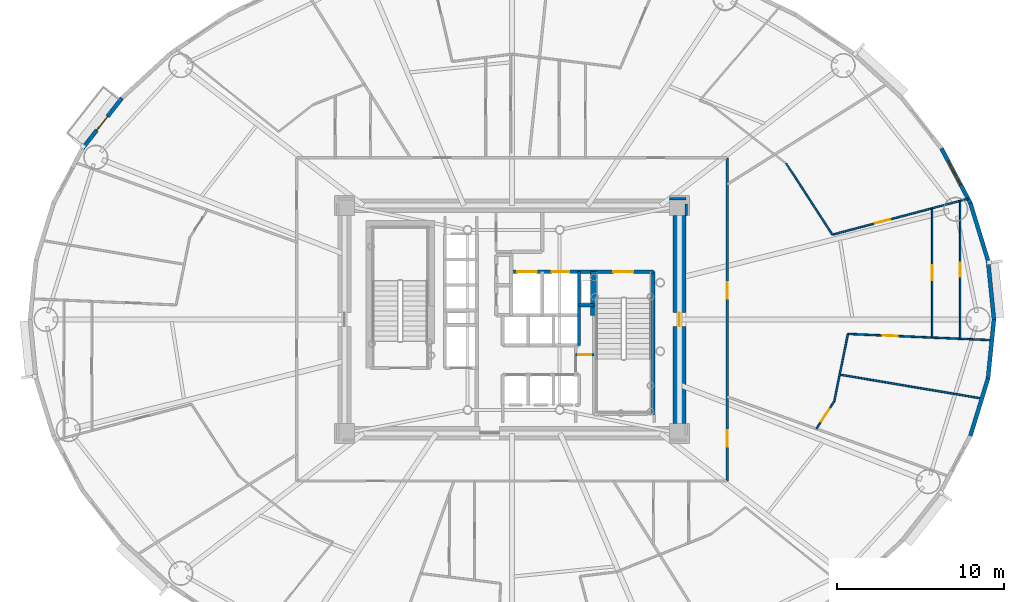
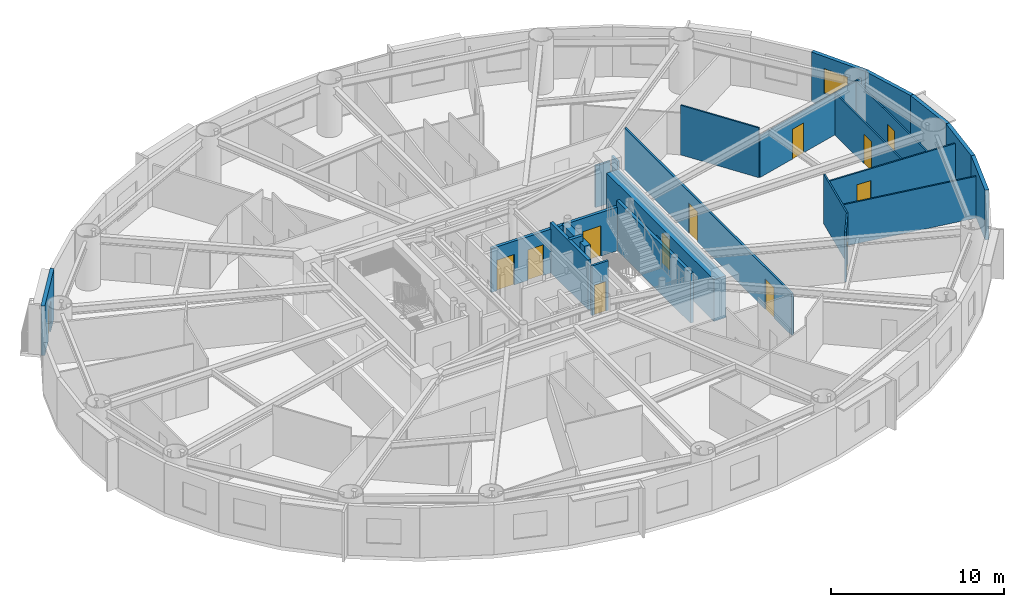
# One storey, part 11 of 19: 24 walls, 13 doors, 1 window, 14 openings.
"""IFC4 building model written with IfcOpenShell, lengths in metres."""

from ifc_helpers import new_model, si_unit, direction, frame, frame_2d, origin, origin_2d, place, context, subcontext, project, spatial, rectangle, extrude, source, transform, mapped, material, layer, layer_set, type_object, element, fill, save


model = new_model("IFC4")

# Units and contexts
model_context = context("Model", 3, precision=1e-05, world=origin(), true_north=direction((0.0, 1.0)))
body_context = subcontext(model_context, "Body", "Model", "MODEL_VIEW")
ifc_project = project(units=[si_unit("LENGTHUNIT", "METRE"), si_unit("AREAUNIT", "SQUARE_METRE"), si_unit("VOLUMEUNIT", "CUBIC_METRE"), si_unit("PLANEANGLEUNIT", "RADIAN"), si_unit("MASSUNIT", "GRAM", prefix="KILO")], contexts=[model_context])

# Site, building, storey
site_placement = place(None, origin())
site = spatial("IfcSite", under=ifc_project, at=site_placement, CompositionType="ELEMENT")
building_placement = place(site_placement, origin())
building = spatial("IfcBuilding", under=site, at=building_placement, Name="Linh Dai School and Residence Tower", CompositionType="ELEMENT")
storey_placement = place(building_placement, frame((0.0, 0.0, 119.699951171875)))
storey = spatial("IfcBuildingStorey", under=building, at=storey_placement, Name="L28", CompositionType="ELEMENT", Elevation=119.699951171875)

# Walls
ifc_material_1 = material(Name="Precast Concrete B45 (C35/45)", Category="concrete")
ifc_layer_1 = layer(ifc_material_1, 0.239990234375)
ifc_layer_set_1 = layer_set([ifc_layer_1], Name="Precast Concrete B45 (C35/45)")
wall_type_1 = type_object("IfcWallType", Name="EW-TC-240", PredefinedType="SOLIDWALL", material=ifc_layer_set_1)
wall_1_placement = place(storey_placement, frame((64.421630859375, 30.515380859375, 0.0), z_axis=(0.0, 0.0, 1.0), x_axis=(0.099989468229, -0.994988495533, 0.0)))
element("IfcWall", 1, at=wall_1_placement, inside=storey, type_object=wall_type_1, Name="L28 Terracotta Exterior Wall 01", PredefinedType="SOLIDWALL", context=body_context, shape_type="SweptSolid", body=[
    extrude(rectangle(XDim=3.533203125, YDim=0.239990234375, at=frame_2d((1.7666015625, 0.0))), origin(), (0.0, 0.0, 1.0), 3.5),
])
wall_2_placement = place(storey_placement, frame((63.3701171875, 33.945068359375, 0.0), z_axis=(0.0, 0.0, 1.0), x_axis=(0.293124431344, -0.956074300329, 0.0)))
element("IfcWall", 2, at=wall_2_placement, inside=storey, type_object=wall_type_1, Name="L28 Terracotta Exterior Wall 02", PredefinedType="SOLIDWALL", context=body_context, shape_type="SweptSolid", body=[
    extrude(rectangle(XDim=3.587158203125, YDim=0.239990234375, at=frame_2d((1.79345703125, 0.0))), origin(), (0.0, 0.0, 1.0), 3.5),
])

# Wall, opening, window
wall_3_placement = place(storey_placement, frame((61.645263671875, 37.20556640625, 0.0), z_axis=(0.0, 0.0, 1.0), x_axis=(0.467614004126, -0.883932770716, 0.0)))
wall_3 = element("IfcWall", 3, at=wall_3_placement, inside=storey, type_object=wall_type_1, Name="L28 Terracotta Exterior Wall 03", PredefinedType="SOLIDWALL", context=body_context, shape_type="SweptSolid", body=[
    extrude(rectangle(XDim=3.688720703125, YDim=0.239990234375, at=frame_2d((1.84423828125, 0.0))), origin(), (0.0, 0.0, 1.0), 3.5),
])
opening_1_placement = place(wall_3_placement, frame((0.845947265625, 0.0, 0.89990234375)))
opening_1 = element("IfcOpeningElement", 4, at=opening_1_placement, cuts=wall_3, Name="Opening W2", PredefinedType="OPENING", context=body_context, shape_type="SweptSolid", body=[
    extrude(rectangle(XDim=1.60009765625, YDim=1.75, at=origin_2d()), frame((0.800048828125, 0.1298828125, 0.875), z_axis=(0.0, -1.0, 0.0), x_axis=(1.0, 0.0, 0.0)), (0.0, 0.0, 1.0), 0.260009765625),
])
ifc_material_2 = material(Name="Double Low-E Insulated Glazing", Category="glass")
window_type = type_object("IfcWindowType", Name="WN-RES-1600x1750", PartitioningType="DOUBLE_PANEL_VERTICAL", PredefinedType="WINDOW", material=ifc_material_2)
shared_shape_1 = source(origin(), body_context, "Body", "SweptSolid", [
    extrude(rectangle(XDim=1.60009765625, YDim=1.75, at=origin_2d()), frame((0.800048828125, 0.030029296875, 0.875), z_axis=(0.0, -1.0, 0.0), x_axis=(1.0, 0.0, 0.0)), (0.0, 0.0, 1.0), 0.06005859375),
])
window_placement = place(opening_1_placement, origin())
window = element("IfcWindow", 5, at=window_placement, inside=storey, type_object=window_type, Name="L28 Exterior Window 03.1", OverallHeight=1.75, OverallWidth=1.60009765625, PartitioningType="DOUBLE_PANEL_VERTICAL", PredefinedType="WINDOW", context=body_context, shape_type="MappedRepresentation", body=[
    mapped(shared_shape_1, transform((0.0, 0.0, 0.0), x_axis=(1.0, 0.0, 0.0), y_axis=(0.0, 1.0, 0.0), z_axis=(0.0, 0.0, 1.0), scale=1.0)),
])
fill(opening_1, window)

# Wall, opening, door
wall_4_placement = place(storey_placement, frame((10.354736328125, 37.20556640625, 0.0), z_axis=(0.0, 0.0, 1.0), x_axis=(0.616272103517, 0.787533297345, 0.0)))
wall_4 = element("IfcWall", 6, at=wall_4_placement, inside=storey, type_object=wall_type_1, Name="L28 Terracotta Exterior Wall 17", PredefinedType="SOLIDWALL", context=body_context, shape_type="SweptSolid", body=[
    extrude(rectangle(XDim=3.8232421875, YDim=0.239990234375, at=frame_2d((1.91162109375, 0.0))), origin(), (0.0, 0.0, 1.0), 3.5),
])
opening_2_placement = place(wall_4_placement, frame((1.38671875, 0.0, 0.0)))
opening_2 = element("IfcOpeningElement", 7, at=opening_2_placement, cuts=wall_4, Name="Opening BD1", PredefinedType="OPENING", context=body_context, shape_type="SweptSolid", body=[
    extrude(rectangle(XDim=1.050048828125, YDim=2.14990234375, at=origin_2d()), frame((0.52490234375, 0.1298828125, 1.074951171875), z_axis=(0.0, -1.0, 0.0), x_axis=(1.0, 0.0, 0.0)), (0.0, 0.0, 1.0), 0.260009765625),
])
ifc_material_3 = material(Name="Double-Glazed Balcony Door", Category="glass")
door_type_1 = type_object("IfcDoorType", Name="DR-BALC-1050x2150", OperationType="NOTDEFINED", PredefinedType="DOOR", material=ifc_material_3)
shared_shape_2 = source(origin(), body_context, "Body", "SweptSolid", [
    extrude(rectangle(XDim=1.050048828125, YDim=2.14990234375, at=origin_2d()), frame((0.52490234375, 0.02490234375, 1.074951171875), z_axis=(0.0, -1.0, 0.0), x_axis=(1.0, 0.0, 0.0)), (0.0, 0.0, 1.0), 0.050048828125),
])
door_1_placement = place(opening_2_placement, origin())
door_1 = element("IfcDoor", 8, at=door_1_placement, inside=storey, type_object=door_type_1, Name="L28 Glazed Balcony Door 17", OperationType="SINGLE_SWING_RIGHT", OverallHeight=2.14990234375, OverallWidth=1.050048828125, PredefinedType="DOOR", context=body_context, shape_type="MappedRepresentation", body=[
    mapped(shared_shape_2, transform((0.0, 0.0, 0.0), x_axis=(1.0, 0.0, 0.0), y_axis=(0.0, 1.0, 0.0), z_axis=(0.0, 0.0, 1.0), scale=1.0)),
])
fill(opening_2, door_1)

# Walls
wall_5_placement = place(storey_placement, frame((64.421630859375, 23.484619140625, 0.0), z_axis=(0.0, 0.0, 1.0), x_axis=(-0.293124431344, -0.956074300329, 0.0)))
element("IfcWall", 9, at=wall_5_placement, inside=storey, type_object=wall_type_1, Name="L28 Terracotta Exterior Wall 39", PredefinedType="SOLIDWALL", context=body_context, shape_type="SweptSolid", body=[
    extrude(rectangle(XDim=3.587158203125, YDim=0.239990234375, at=frame_2d((1.79345703125, 0.0))), origin(), (0.0, 0.0, 1.0), 3.5),
])
wall_6_placement = place(storey_placement, frame((64.77490234375, 27.0, 0.0), z_axis=(0.0, 0.0, 1.0), x_axis=(-0.099989468229, -0.994988495533, 0.0)))
element("IfcWall", 10, at=wall_6_placement, inside=storey, type_object=wall_type_1, Name="L28 Terracotta Exterior Wall 40", PredefinedType="SOLIDWALL", context=body_context, shape_type="SweptSolid", body=[
    extrude(rectangle(XDim=3.533203125, YDim=0.239990234375, at=frame_2d((1.7666015625, 0.0))), origin(), (0.0, 0.0, 1.0), 3.5),
])

# Wall, openings, doors
ifc_material_4 = material(Name="Autoclaved Aerated Concrete Blockwork", Category="masonry")
ifc_layer_2 = layer(ifc_material_4, 0.135009765625)
ifc_layer_set_2 = layer_set([ifc_layer_2], Name="Autoclaved Aerated Concrete Blockwork")
wall_type_2 = type_object("IfcWallType", Name="IW-CORR-135-EI90", PredefinedType="PARTITIONING", material=ifc_layer_set_2)
wall_7_placement = place(storey_placement, frame((48.85009765625, 17.35009765625, 0.0), z_axis=(0.0, 0.0, 1.0), x_axis=(0.0, 1.0, 0.0)))
wall_7 = element("IfcWall", 11, at=wall_7_placement, inside=storey, type_object=wall_type_2, Name="L28 Interior Partition Wall 089", PredefinedType="PARTITIONING", context=body_context, shape_type="SweptSolid", body=[
    extrude(rectangle(XDim=19.2998046875, YDim=0.135009765625, at=frame_2d((9.64990234375, 0.0))), origin(), (0.0, 0.0, 1.0), 2.93505859375),
])
opening_3_placement = place(wall_7_placement, frame((2.036376953125, 0.0, 0.0)))
opening_3 = element("IfcOpeningElement", 12, at=opening_3_placement, cuts=wall_7, Name="Opening D03", PredefinedType="OPENING", context=body_context, shape_type="SweptSolid", body=[
    extrude(rectangle(XDim=1.0, YDim=2.14990234375, at=origin_2d()), frame((0.5, 0.07763671875, 1.074951171875), z_axis=(0.0, -1.0, 0.0), x_axis=(1.0, 0.0, 0.0)), (0.0, 0.0, 1.0), 0.155029296875),
])
opening_4_placement = place(wall_7_placement, frame((10.87451171875, 0.0, 0.0)))
opening_4 = element("IfcOpeningElement", 13, at=opening_4_placement, cuts=wall_7, Name="Opening D03", PredefinedType="OPENING", context=body_context, shape_type="SweptSolid", body=[
    extrude(rectangle(XDim=1.0, YDim=2.14990234375, at=origin_2d()), frame((0.5, 0.07763671875, 1.074951171875), z_axis=(0.0, -1.0, 0.0), x_axis=(1.0, 0.0, 0.0)), (0.0, 0.0, 1.0), 0.155029296875),
])
ifc_material_5 = material(Name="Fire-Rated Solid Timber Entrance Door", Category="wood")
door_type_2 = type_object("IfcDoorType", Name="DR-FLAT-1000x2150-FD60S", OperationType="NOTDEFINED", PredefinedType="DOOR", material=ifc_material_5)
shared_shape_3 = source(origin(), body_context, "Body", "SweptSolid", [
    extrude(rectangle(XDim=1.0, YDim=2.14990234375, at=origin_2d()), frame((0.5, 0.02490234375, 1.074951171875), z_axis=(0.0, -1.0, 0.0), x_axis=(1.0, 0.0, 0.0)), (0.0, 0.0, 1.0), 0.050048828125),
])
door_2_placement = place(opening_3_placement, origin())
door_2 = element("IfcDoor", 14, at=door_2_placement, inside=storey, type_object=door_type_2, Name="L28 U2806 Apartment Entrance Door", OperationType="SINGLE_SWING_RIGHT", OverallHeight=2.14990234375, OverallWidth=1.0, PredefinedType="DOOR", context=body_context, shape_type="MappedRepresentation", body=[
    mapped(shared_shape_3, transform((0.0, 0.0, 0.0), x_axis=(1.0, 0.0, 0.0), y_axis=(0.0, 1.0, 0.0), z_axis=(0.0, 0.0, 1.0), scale=1.0)),
])
fill(opening_3, door_2)
door_3_placement = place(opening_4_placement, origin())
door_3 = element("IfcDoor", 15, at=door_3_placement, inside=storey, type_object=door_type_2, Name="L28 U2807 Apartment Entrance Door", OperationType="SINGLE_SWING_RIGHT", OverallHeight=2.14990234375, OverallWidth=1.0, PredefinedType="DOOR", context=body_context, shape_type="MappedRepresentation", body=[
    mapped(shared_shape_3, transform((0.0, 0.0, 0.0), x_axis=(1.0, 0.0, 0.0), y_axis=(0.0, 1.0, 0.0), z_axis=(0.0, 0.0, 1.0), scale=1.0)),
])
fill(opening_4, door_3)

# Walls
wall_8_placement = place(storey_placement, frame((46.39990234375, 34.199951171875, 0.0), z_axis=(0.0, 0.0, 1.0), x_axis=(-1.0, 0.0, 0.0)))
element("IfcWall", 16, at=wall_8_placement, inside=storey, type_object=wall_type_2, Name="L28 Interior Partition Wall 113", PredefinedType="PARTITIONING", context=body_context, shape_type="SweptSolid", body=[
    extrude(rectangle(XDim=0.989990234375, YDim=0.135009765625, at=frame_2d((0.4951171875, 0.0))), origin(), (0.0, 0.0, 1.0), 2.93505859375),
])
wall_9_placement = place(storey_placement, frame((46.39990234375, 33.2099609375, 0.0), z_axis=(0.0, 0.0, 1.0), x_axis=(0.0, 1.0, 0.0)))
element("IfcWall", 17, at=wall_9_placement, inside=storey, type_object=wall_type_2, Name="L28 Interior Partition Wall 120", PredefinedType="PARTITIONING", context=body_context, shape_type="SweptSolid", body=[
    extrude(rectangle(XDim=0.6826171875, YDim=0.135009765625, at=frame_2d((0.34130859375, 0.0))), origin(), (0.0, 0.0, 1.0), 3.5),
])

# Wall, opening, door
ifc_layer_3 = layer(ifc_material_4, 0.14990234375)
ifc_layer_set_3 = layer_set([ifc_layer_3], Name="Autoclaved Aerated Concrete Blockwork")
wall_type_3 = type_object("IfcWallType", Name="IW-SCH-150-EI60", PredefinedType="PARTITIONING", material=ifc_layer_set_3)
wall_10_placement = place(storey_placement, frame((39.800048828125, 24.89990234375, 0.0), z_axis=(0.0, 0.0, 1.0), x_axis=(1.0, 0.0, 0.0)))
wall_10 = element("IfcWall", 18, at=wall_10_placement, inside=storey, type_object=wall_type_3, Name="L28 Interior Partition Wall 069", PredefinedType="PARTITIONING", context=body_context, shape_type="SweptSolid", body=[
    extrude(rectangle(XDim=1.099853515625, YDim=0.14990234375, at=frame_2d((0.5498046875, 0.0))), origin(), (0.0, 0.0, 1.0), 3.5),
])
opening_5_placement = place(wall_10_placement, frame((0.169921875, 0.0, 0.0)))
opening_5 = element("IfcOpeningElement", 19, at=opening_5_placement, cuts=wall_10, Name="Opening D08", PredefinedType="OPENING", context=body_context, shape_type="SweptSolid", body=[
    extrude(rectangle(XDim=0.760009765625, YDim=2.10009765625, at=origin_2d()), frame((0.3798828125, 0.0849609375, 1.050048828125), z_axis=(0.0, -1.0, 0.0), x_axis=(1.0, 0.0, 0.0)), (0.0, 0.0, 1.0), 0.169921875),
])
ifc_material_6 = material(Name="Engineered Timber Closet and Study Door", Category="wood")
door_type_3 = type_object("IfcDoorType", Name="DR-CMP-760x2100", OperationType="NOTDEFINED", PredefinedType="DOOR", material=ifc_material_6)
shared_shape_4 = source(origin(), body_context, "Body", "SweptSolid", [
    extrude(rectangle(XDim=0.760009765625, YDim=2.10009765625, at=origin_2d()), frame((0.3798828125, 0.02490234375, 1.050048828125), z_axis=(0.0, -1.0, 0.0), x_axis=(1.0, 0.0, 0.0)), (0.0, 0.0, 1.0), 0.050048828125),
])
door_4_placement = place(opening_5_placement, origin())
door_4 = element("IfcDoor", 20, at=door_4_placement, inside=storey, type_object=door_type_3, Name="L28 NE Equipment Store Door", OperationType="SINGLE_SWING_LEFT", OverallHeight=2.10009765625, OverallWidth=0.760009765625, PredefinedType="DOOR", context=body_context, shape_type="MappedRepresentation", body=[
    mapped(shared_shape_4, transform((0.0, 0.0, 0.0), x_axis=(1.0, 0.0, 0.0), y_axis=(0.0, 1.0, 0.0), z_axis=(0.0, 0.0, 1.0), scale=1.0)),
])
fill(opening_5, door_4)

# Wall, openings, doors
ifc_material_7 = material(Name="Concrete B45 (C35/45)", Category="concrete")
ifc_layer_4 = layer(ifc_material_7, 0.199951171875)
ifc_layer_set_4 = layer_set([ifc_layer_4], Name="Concrete B45 (C35/45)")
wall_type_4 = type_object("IfcWallType", Name="IW-SHAFT-200-EI120", PredefinedType="PARTITIONING", material=ifc_layer_set_4)
wall_11_placement = place(storey_placement, frame((35.949951171875, 29.85009765625, 0.0), z_axis=(0.0, 0.0, 1.0), x_axis=(1.0, 0.0, 0.0)))
wall_11 = element("IfcWall", 21, at=wall_11_placement, inside=storey, type_object=wall_type_4, Name="L28 Interior Partition Wall 055", PredefinedType="PARTITIONING", context=body_context, shape_type="SweptSolid", body=[
    extrude(rectangle(XDim=8.489990234375, YDim=0.199951171875, at=frame_2d((4.2451171875, 0.0))), origin(), (0.0, 0.0, 1.0), 3.0849609375),
])
opening_6_placement = place(wall_11_placement, frame((6.10009765625, 0.0, 0.0)))
opening_6 = element("IfcOpeningElement", 22, at=opening_6_placement, cuts=wall_11, Name="Opening D01", PredefinedType="OPENING", context=body_context, shape_type="SweptSolid", body=[
    extrude(rectangle(XDim=1.199951171875, YDim=2.14990234375, at=origin_2d()), frame((0.60009765625, 0.10986328125, 1.074951171875), z_axis=(0.0, -1.0, 0.0), x_axis=(1.0, 0.0, 0.0)), (0.0, 0.0, 1.0), 0.219970703125),
])
opening_7_placement = place(wall_11_placement, frame((0.3701171875, 0.0, 0.0)))
opening_7 = element("IfcOpeningElement", 23, at=opening_7_placement, cuts=wall_11, Name="Opening LD-FF1", PredefinedType="OPENING", context=body_context, shape_type="SweptSolid", body=[
    extrude(rectangle(XDim=1.14990234375, YDim=2.14990234375, at=origin_2d()), frame((0.574951171875, 0.10986328125, 1.074951171875), z_axis=(0.0, -1.0, 0.0), x_axis=(1.0, 0.0, 0.0)), (0.0, 0.0, 1.0), 0.219970703125),
])
opening_8_placement = place(wall_11_placement, frame((2.425048828125, 0.0, 0.0)))
opening_8 = element("IfcOpeningElement", 24, at=opening_8_placement, cuts=wall_11, Name="Opening LD-SV1", PredefinedType="OPENING", context=body_context, shape_type="SweptSolid", body=[
    extrude(rectangle(XDim=1.050048828125, YDim=2.14990234375, at=origin_2d()), frame((0.52490234375, 0.10986328125, 1.074951171875), z_axis=(0.0, -1.0, 0.0), x_axis=(1.0, 0.0, 0.0)), (0.0, 0.0, 1.0), 0.219970703125),
])
ifc_material_8 = material(Name="Fire-Rated Steel Door Leaf", Category="steel")
door_type_4 = type_object("IfcDoorType", Name="DR-STAIR-1200x2150-FD90S", OperationType="NOTDEFINED", PredefinedType="DOOR", material=ifc_material_8)
shared_shape_5 = source(origin(), body_context, "Body", "SweptSolid", [
    extrude(rectangle(XDim=1.199951171875, YDim=2.14990234375, at=origin_2d()), frame((0.60009765625, 0.02490234375, 1.074951171875), z_axis=(0.0, -1.0, 0.0), x_axis=(1.0, 0.0, 0.0)), (0.0, 0.0, 1.0), 0.050048828125),
])
door_5_placement = place(opening_6_placement, origin())
door_5 = element("IfcDoor", 25, at=door_5_placement, inside=storey, type_object=door_type_4, Name="L28 Core Smokeproof Exit Stair ST2 Door", OperationType="SINGLE_SWING_RIGHT", OverallHeight=2.14990234375, OverallWidth=1.199951171875, PredefinedType="DOOR", context=body_context, shape_type="MappedRepresentation", body=[
    mapped(shared_shape_5, transform((0.0, 0.0, 0.0), x_axis=(1.0, 0.0, 0.0), y_axis=(0.0, 1.0, 0.0), z_axis=(0.0, 0.0, 1.0), scale=1.0)),
])
fill(opening_6, door_5)
ifc_material_9 = material(Name="Fire-Rated Stainless Steel Firefighting Lift Door", Category="steel")
door_type_5 = type_object("IfcDoorType", Name="DR-LD-FF-1150x2150-FD120", OperationType="DOUBLE_DOOR_SLIDING", PredefinedType="USERDEFINED", material=ifc_material_9)
shared_shape_6 = source(origin(), body_context, "Body", "SweptSolid", [
    extrude(rectangle(XDim=1.14990234375, YDim=2.14990234375, at=origin_2d()), frame((0.574951171875, 0.02490234375, 1.074951171875), z_axis=(0.0, -1.0, 0.0), x_axis=(1.0, 0.0, 0.0)), (0.0, 0.0, 1.0), 0.050048828125),
])
door_6_placement = place(opening_7_placement, origin())
door_6 = element("IfcDoor", 26, at=door_6_placement, inside=storey, type_object=door_type_5, Name="L28 Lift FF1 Sliding Landing Door", ObjectType="LANDING DOOR", OperationType="DOUBLE_DOOR_SLIDING", OverallHeight=2.14990234375, OverallWidth=1.14990234375, PredefinedType="USERDEFINED", context=body_context, shape_type="MappedRepresentation", body=[
    mapped(shared_shape_6, transform((0.0, 0.0, 0.0), x_axis=(1.0, 0.0, 0.0), y_axis=(0.0, 1.0, 0.0), z_axis=(0.0, 0.0, 1.0), scale=1.0)),
])
fill(opening_7, door_6)
ifc_material_10 = material(Name="Brushed Stainless Steel Lift Landing Door", Category="steel")
door_type_6 = type_object("IfcDoorType", Name="DR-LD-PASS-1050x2150", OperationType="DOUBLE_DOOR_SLIDING", PredefinedType="USERDEFINED", material=ifc_material_10)
shared_shape_7 = source(origin(), body_context, "Body", "SweptSolid", [
    extrude(rectangle(XDim=1.050048828125, YDim=2.14990234375, at=origin_2d()), frame((0.52490234375, 0.02490234375, 1.074951171875), z_axis=(0.0, -1.0, 0.0), x_axis=(1.0, 0.0, 0.0)), (0.0, 0.0, 1.0), 0.050048828125),
])
door_7_placement = place(opening_8_placement, origin())
door_7 = element("IfcDoor", 27, at=door_7_placement, inside=storey, type_object=door_type_6, Name="L28 Lift SV1 Sliding Landing Door", ObjectType="LANDING DOOR", OperationType="DOUBLE_DOOR_SLIDING", OverallHeight=2.14990234375, OverallWidth=1.050048828125, PredefinedType="USERDEFINED", context=body_context, shape_type="MappedRepresentation", body=[
    mapped(shared_shape_7, transform((0.0, 0.0, 0.0), x_axis=(1.0, 0.0, 0.0), y_axis=(0.0, 1.0, 0.0), z_axis=(0.0, 0.0, 1.0), scale=1.0)),
])
fill(opening_8, door_7)

# Walls
wall_12_placement = place(storey_placement, frame((40.0, 25.449951171875, 0.0), z_axis=(0.0, 0.0, 1.0), x_axis=(0.0, 1.0, 0.0)))
element("IfcWall", 28, at=wall_12_placement, inside=storey, type_object=wall_type_4, Name="L28 Interior Partition Wall 071", PredefinedType="PARTITIONING", context=body_context, shape_type="SweptSolid", body=[
    extrude(rectangle(XDim=4.400146484375, YDim=0.199951171875, at=frame_2d((2.2001953125, 0.0))), origin(), (0.0, 0.0, 1.0), 3.5),
])
wall_13_placement = place(storey_placement, frame((40.0, 27.85009765625, 0.0), z_axis=(0.0, 0.0, 1.0), x_axis=(1.0, 0.0, 0.0)))
element("IfcWall", 29, at=wall_13_placement, inside=storey, type_object=wall_type_4, Name="L28 Interior Partition Wall 072", PredefinedType="PARTITIONING", context=body_context, shape_type="SweptSolid", body=[
    extrude(rectangle(XDim=0.89990234375, YDim=0.199951171875, at=frame_2d((0.449951171875, 0.0))), origin(), (0.0, 0.0, 1.0), 3.5),
])
wall_14_placement = place(storey_placement, frame((44.43994140625, 21.330078125, 0.0), z_axis=(0.0, 0.0, 1.0), x_axis=(0.0, 1.0, 0.0)))
element("IfcWall", 30, at=wall_14_placement, inside=storey, type_object=wall_type_4, Name="L28 Interior Partition Wall 082", PredefinedType="PARTITIONING", context=body_context, shape_type="SweptSolid", body=[
    extrude(rectangle(XDim=8.52001953125, YDim=0.199951171875, at=frame_2d((4.260009765625, 0.0))), origin(), (0.0, 0.0, 1.0), 3.5),
])
ifc_material_11 = material(Name="Gypsum Plasterboard Acoustic Stud Partition", Category="masonry")
ifc_layer_5 = layer(ifc_material_11, 0.10009765625)
ifc_layer_set_5 = layer_set([ifc_layer_5], Name="Gypsum Plasterboard Acoustic Stud Partition")
wall_type_5 = type_object("IfcWallType", Name="IW-UNIT-100", PredefinedType="PARTITIONING", material=ifc_layer_set_5)
wall_15_placement = place(storey_placement, frame((52.366455078125, 36.31103515625, 0.0), z_axis=(0.0, 0.0, 1.0), x_axis=(0.545394651961, -0.838179380331, 0.0)))
element("IfcWall", 31, at=wall_15_placement, inside=storey, type_object=wall_type_5, Name="L28 Interior Partition Wall 093", PredefinedType="PARTITIONING", context=body_context, shape_type="SweptSolid", body=[
    extrude(rectangle(XDim=5.068115234375, YDim=0.10009765625, at=frame_2d((2.5341796875, 0.0))), origin(), (0.0, 0.0, 1.0), 3.5),
])

# Wall, opening, door
wall_16_placement = place(storey_placement, frame((54.175537109375, 20.468994140625, 0.0), z_axis=(0.0, 0.0, 1.0), x_axis=(0.545370803514, 0.838194897786, 0.0)))
wall_16 = element("IfcWall", 32, at=wall_16_placement, inside=storey, type_object=wall_type_5, Name="L28 Interior Partition Wall 094", PredefinedType="PARTITIONING", context=body_context, shape_type="SweptSolid", body=[
    extrude(rectangle(XDim=1.951904296875, YDim=0.10009765625, at=frame_2d((0.97607421875, 0.0))), origin(), (0.0, 0.0, 1.0), 3.5),
])
opening_9_placement = place(wall_16_placement, frame((0.52587890625, 0.0, 0.0)))
opening_9 = element("IfcOpeningElement", 33, at=opening_9_placement, cuts=wall_16, Name="Opening D05", PredefinedType="OPENING", context=body_context, shape_type="SweptSolid", body=[
    extrude(rectangle(XDim=0.89990234375, YDim=2.10009765625, at=origin_2d()), frame((0.449951171875, 0.06005859375, 1.050048828125), z_axis=(0.0, -1.0, 0.0), x_axis=(1.0, 0.0, 0.0)), (0.0, 0.0, 1.0), 0.1201171875),
])
ifc_material_12 = material(Name="Engineered Timber Internal Door", Category="wood")
door_type_7 = type_object("IfcDoorType", Name="DR-INT-900x2100", OperationType="NOTDEFINED", PredefinedType="DOOR", material=ifc_material_12)
shared_shape_8 = source(origin(), body_context, "Body", "SweptSolid", [
    extrude(rectangle(XDim=0.89990234375, YDim=2.10009765625, at=origin_2d()), frame((0.449951171875, 0.02490234375, 1.050048828125), z_axis=(0.0, -1.0, 0.0), x_axis=(1.0, 0.0, 0.0)), (0.0, 0.0, 1.0), 0.050048828125),
])
door_8_placement = place(opening_9_placement, origin())
door_8 = element("IfcDoor", 34, at=door_8_placement, inside=storey, type_object=door_type_7, Name="L28 Apartment U2807 Principal Bedroom 1 Door", OperationType="SINGLE_SWING_LEFT", OverallHeight=2.10009765625, OverallWidth=0.89990234375, PredefinedType="DOOR", context=body_context, shape_type="MappedRepresentation", body=[
    mapped(shared_shape_8, transform((0.0, 0.0, 0.0), x_axis=(1.0, 0.0, 0.0), y_axis=(0.0, 1.0, 0.0), z_axis=(0.0, 0.0, 1.0), scale=1.0)),
])
fill(opening_9, door_8)

wall_17_placement = place(storey_placement, frame((55.130615234375, 32.06298828125, 0.0), z_axis=(0.0, 0.0, 1.0), x_axis=(0.96671793708, 0.255844542893, 0.0)))
wall_17 = element("IfcWall", 35, at=wall_17_placement, inside=storey, type_object=wall_type_5, Name="L28 Interior Partition Wall 095", PredefinedType="PARTITIONING", context=body_context, shape_type="SweptSolid", body=[
    extrude(rectangle(XDim=8.385009765625, YDim=0.10009765625, at=frame_2d((4.1923828125, 0.0))), origin(), (0.0, 0.0, 1.0), 2.93505859375),
])
opening_10_placement = place(wall_17_placement, frame((2.64990234375, 0.0, 0.0)))
opening_10 = element("IfcOpeningElement", 36, at=opening_10_placement, cuts=wall_17, Name="Opening D05", PredefinedType="OPENING", context=body_context, shape_type="SweptSolid", body=[
    extrude(rectangle(XDim=0.89990234375, YDim=2.10009765625, at=origin_2d()), frame((0.449951171875, 0.06005859375, 1.050048828125), z_axis=(0.0, -1.0, 0.0), x_axis=(1.0, 0.0, 0.0)), (0.0, 0.0, 1.0), 0.1201171875),
])
door_9_placement = place(opening_10_placement, origin())
door_9 = element("IfcDoor", 37, at=door_9_placement, inside=storey, type_object=door_type_7, Name="L28 Apartment U2807 Principal Bedroom 2 Door", OperationType="SINGLE_SWING_LEFT", OverallHeight=2.10009765625, OverallWidth=0.89990234375, PredefinedType="DOOR", context=body_context, shape_type="MappedRepresentation", body=[
    mapped(shared_shape_8, transform((0.0, 0.0, 0.0), x_axis=(1.0, 0.0, 0.0), y_axis=(0.0, 1.0, 0.0), z_axis=(0.0, 0.0, 1.0), scale=1.0)),
])
fill(opening_10, door_9)

# Walls
wall_18_placement = place(storey_placement, frame((55.239990234375, 22.10498046875, 0.0), z_axis=(0.0, 0.0, 1.0), x_axis=(0.198205355444, 0.980160515973, 0.0)))
element("IfcWall", 38, at=wall_18_placement, inside=storey, type_object=wall_type_5, Name="L28 Interior Partition Wall 096", PredefinedType="PARTITIONING", context=body_context, shape_type="SweptSolid", body=[
    extrude(rectangle(XDim=4.111572265625, YDim=0.10009765625, at=frame_2d((2.0556640625, 0.0))), origin(), (0.0, 0.0, 1.0), 3.5),
])
wall_19_placement = place(storey_placement, frame((55.564208984375, 23.7080078125, 0.0), z_axis=(0.0, 0.0, 1.0), x_axis=(0.986139151265, -0.165920385556, 0.0)))
element("IfcWall", 39, at=wall_19_placement, inside=storey, type_object=wall_type_5, Name="L28 Interior Partition Wall 097", PredefinedType="PARTITIONING", context=body_context, shape_type="SweptSolid", body=[
    extrude(rectangle(XDim=8.6123046875, YDim=0.10009765625, at=frame_2d((4.30615234375, 0.0))), origin(), (0.0, 0.0, 1.0), 2.93505859375),
])

# Wall, opening, door
wall_20_placement = place(storey_placement, frame((56.054931640625, 26.134765625, 0.0), z_axis=(0.0, 0.0, 1.0), x_axis=(0.999070497197, -0.043106166957, 0.0)))
wall_20 = element("IfcWall", 40, at=wall_20_placement, inside=storey, type_object=wall_type_5, Name="L28 Interior Partition Wall 098", PredefinedType="PARTITIONING", context=body_context, shape_type="SweptSolid", body=[
    extrude(rectangle(XDim=8.60888671875, YDim=0.10009765625, at=frame_2d((4.304443359375, 0.0))), origin(), (0.0, 0.0, 1.0), 2.93505859375),
])
opening_11_placement = place(wall_20_placement, frame((2.087646484375, 0.0, 0.0)))
opening_11 = element("IfcOpeningElement", 41, at=opening_11_placement, cuts=wall_20, Name="Opening D05", PredefinedType="OPENING", context=body_context, shape_type="SweptSolid", body=[
    extrude(rectangle(XDim=0.89990234375, YDim=2.10009765625, at=origin_2d()), frame((0.449951171875, 0.06005859375, 1.050048828125), z_axis=(0.0, -1.0, 0.0), x_axis=(1.0, 0.0, 0.0)), (0.0, 0.0, 1.0), 0.1201171875),
])
door_10_placement = place(opening_11_placement, origin())
door_10 = element("IfcDoor", 42, at=door_10_placement, inside=storey, type_object=door_type_7, Name="L28 Apartment U2807 Study Door", OperationType="SINGLE_SWING_RIGHT", OverallHeight=2.10009765625, OverallWidth=0.89990234375, PredefinedType="DOOR", context=body_context, shape_type="MappedRepresentation", body=[
    mapped(shared_shape_8, transform((0.0, 0.0, 0.0), x_axis=(1.0, 0.0, 0.0), y_axis=(0.0, 1.0, 0.0), z_axis=(0.0, 0.0, 1.0), scale=1.0)),
])
fill(opening_11, door_10)

wall_21_placement = place(storey_placement, frame((61.08544921875, 25.917724609375, 0.0), z_axis=(0.0, 0.0, 1.0), x_axis=(0.0, 1.0, 0.0)))
wall_21 = element("IfcWall", 43, at=wall_21_placement, inside=storey, type_object=wall_type_5, Name="L28 Interior Partition Wall 099", PredefinedType="PARTITIONING", context=body_context, shape_type="SweptSolid", body=[
    extrude(rectangle(XDim=7.72119140625, YDim=0.10009765625, at=frame_2d((3.860595703125, 0.0))), origin(), (0.0, 0.0, 1.0), 2.93505859375),
])
opening_12_placement = place(wall_21_placement, frame((3.41064453125, 0.0, 0.0)))
opening_12 = element("IfcOpeningElement", 44, at=opening_12_placement, cuts=wall_21, Name="Opening D05", PredefinedType="OPENING", context=body_context, shape_type="SweptSolid", body=[
    extrude(rectangle(XDim=0.89990234375, YDim=2.10009765625, at=origin_2d()), frame((0.449951171875, 0.06005859375, 1.050048828125), z_axis=(0.0, -1.0, 0.0), x_axis=(1.0, 0.0, 0.0)), (0.0, 0.0, 1.0), 0.1201171875),
])
door_11_placement = place(opening_12_placement, origin())
door_11 = element("IfcDoor", 45, at=door_11_placement, inside=storey, type_object=door_type_7, Name="L28 Apartment U2807 Kitchen Door", OperationType="SINGLE_SWING_RIGHT", OverallHeight=2.10009765625, OverallWidth=0.89990234375, PredefinedType="DOOR", context=body_context, shape_type="MappedRepresentation", body=[
    mapped(shared_shape_8, transform((0.0, 0.0, 0.0), x_axis=(1.0, 0.0, 0.0), y_axis=(0.0, 1.0, 0.0), z_axis=(0.0, 0.0, 1.0), scale=1.0)),
])
fill(opening_12, door_11)

wall_22_placement = place(storey_placement, frame((62.75390625, 25.845703125, 0.0), z_axis=(0.0, 0.0, 1.0), x_axis=(0.0, 1.0, 0.0)))
wall_22 = element("IfcWall", 46, at=wall_22_placement, inside=storey, type_object=wall_type_5, Name="L28 Interior Partition Wall 100", PredefinedType="PARTITIONING", context=body_context, shape_type="SweptSolid", body=[
    extrude(rectangle(XDim=8.23486328125, YDim=0.10009765625, at=frame_2d((4.117431640625, 0.0))), origin(), (0.0, 0.0, 1.0), 2.93505859375),
])
opening_13_placement = place(wall_22_placement, frame((3.70751953125, 0.0, 0.0)))
opening_13 = element("IfcOpeningElement", 47, at=opening_13_placement, cuts=wall_22, Name="Opening D06", PredefinedType="OPENING", context=body_context, shape_type="SweptSolid", body=[
    extrude(rectangle(XDim=0.820068359375, YDim=2.10009765625, at=origin_2d()), frame((0.41015625, 0.06005859375, 1.050048828125), z_axis=(0.0, -1.0, 0.0), x_axis=(1.0, 0.0, 0.0)), (0.0, 0.0, 1.0), 0.1201171875),
])
ifc_material_13 = material(Name="Moisture-Resistant Timber Bathroom Door", Category="wood")
door_type_8 = type_object("IfcDoorType", Name="DR-WET-820x2100", OperationType="NOTDEFINED", PredefinedType="DOOR", material=ifc_material_13)
shared_shape_9 = source(origin(), body_context, "Body", "SweptSolid", [
    extrude(rectangle(XDim=0.820068359375, YDim=2.10009765625, at=origin_2d()), frame((0.41015625, 0.02490234375, 1.050048828125), z_axis=(0.0, -1.0, 0.0), x_axis=(1.0, 0.0, 0.0)), (0.0, 0.0, 1.0), 0.050048828125),
])
door_12_placement = place(opening_13_placement, origin())
door_12 = element("IfcDoor", 48, at=door_12_placement, inside=storey, type_object=door_type_8, Name="L28 Apartment U2807 Bathroom 1 Door", OperationType="SINGLE_SWING_LEFT", OverallHeight=2.10009765625, OverallWidth=0.820068359375, PredefinedType="DOOR", context=body_context, shape_type="MappedRepresentation", body=[
    mapped(shared_shape_9, transform((0.0, 0.0, 0.0), x_axis=(1.0, 0.0, 0.0), y_axis=(0.0, 1.0, 0.0), z_axis=(0.0, 0.0, 1.0), scale=1.0)),
])
fill(opening_13, door_12)

# Wall
ifc_layer_6 = layer(ifc_material_7, 0.39990234375)
ifc_layer_set_6 = layer_set([ifc_layer_6], Name="Concrete B45 (C35/45)")
wall_type_6 = type_object("IfcWallType", Name="WL-CORE400", PredefinedType="SHEAR", material=ifc_layer_set_6)
wall_23_placement = place(storey_placement, frame((40.89990234375, 27.25, 0.0), z_axis=(0.0, 0.0, 1.0), x_axis=(0.0, 1.0, 0.0)))
element("IfcWall", 49, at=wall_23_placement, inside=storey, type_object=wall_type_6, Name="L28 Internal Core Shear Wall IE", PredefinedType="SHEAR", context=body_context, shape_type="SweptSolid", body=[
    extrude(rectangle(XDim=2.60009765625, YDim=0.39990234375, at=frame_2d((1.300048828125, 0.0))), origin(), (0.0, 0.0, 1.0), 3.10009765625),
])

# Wall, opening, door
ifc_material_14 = material(Name="Concrete B60 (C50/60)", Category="concrete")
ifc_layer_7 = layer(ifc_material_14, 0.800048828125)
ifc_layer_set_7 = layer_set([ifc_layer_7], Name="Concrete B60 (C50/60)")
wall_type_7 = type_object("IfcWallType", Name="WL-CORE800", PredefinedType="SHEAR", material=ifc_layer_set_7)
wall_24_placement = place(storey_placement, frame((46.0, 33.199951171875, 0.0), z_axis=(0.0, 0.0, 1.0), x_axis=(0.0, -1.0, 0.0)))
wall_24 = element("IfcWall", 50, at=wall_24_placement, inside=storey, type_object=wall_type_7, Name="L28 Central Core Shear Wall E", PredefinedType="SHEAR", context=body_context, shape_type="SweptSolid", body=[
    extrude(rectangle(XDim=12.39990234375, YDim=0.800048828125, at=frame_2d((6.199951171875, 0.0))), origin(), (0.0, 0.0, 1.0), 2.949951171875),
])
opening_14_placement = place(wall_24_placement, frame((5.7900390625, 0.0, 0.0)))
opening_14 = element("IfcOpeningElement", 51, at=opening_14_placement, cuts=wall_24, Name="Opening D06", PredefinedType="OPENING", context=body_context, shape_type="SweptSolid", body=[
    extrude(rectangle(XDim=0.820068359375, YDim=2.10009765625, at=origin_2d()), frame((0.41015625, 0.41015625, 1.050048828125), z_axis=(0.0, -1.0, 0.0), x_axis=(1.0, 0.0, 0.0)), (0.0, 0.0, 1.0), 0.820068359375),
])
door_13_placement = place(opening_14_placement, origin())
door_13 = element("IfcDoor", 52, at=door_13_placement, inside=storey, type_object=door_type_8, Name="L28 Firefighting Lobby Door", OperationType="SINGLE_SWING_LEFT", OverallHeight=2.10009765625, OverallWidth=0.820068359375, PredefinedType="DOOR", context=body_context, shape_type="MappedRepresentation", body=[
    mapped(shared_shape_9, transform((0.0, 0.0, 0.0), x_axis=(1.0, 0.0, 0.0), y_axis=(0.0, 1.0, 0.0), z_axis=(0.0, 0.0, 1.0), scale=1.0)),
])
fill(opening_14, door_13)

save(model, "model.ifc")
